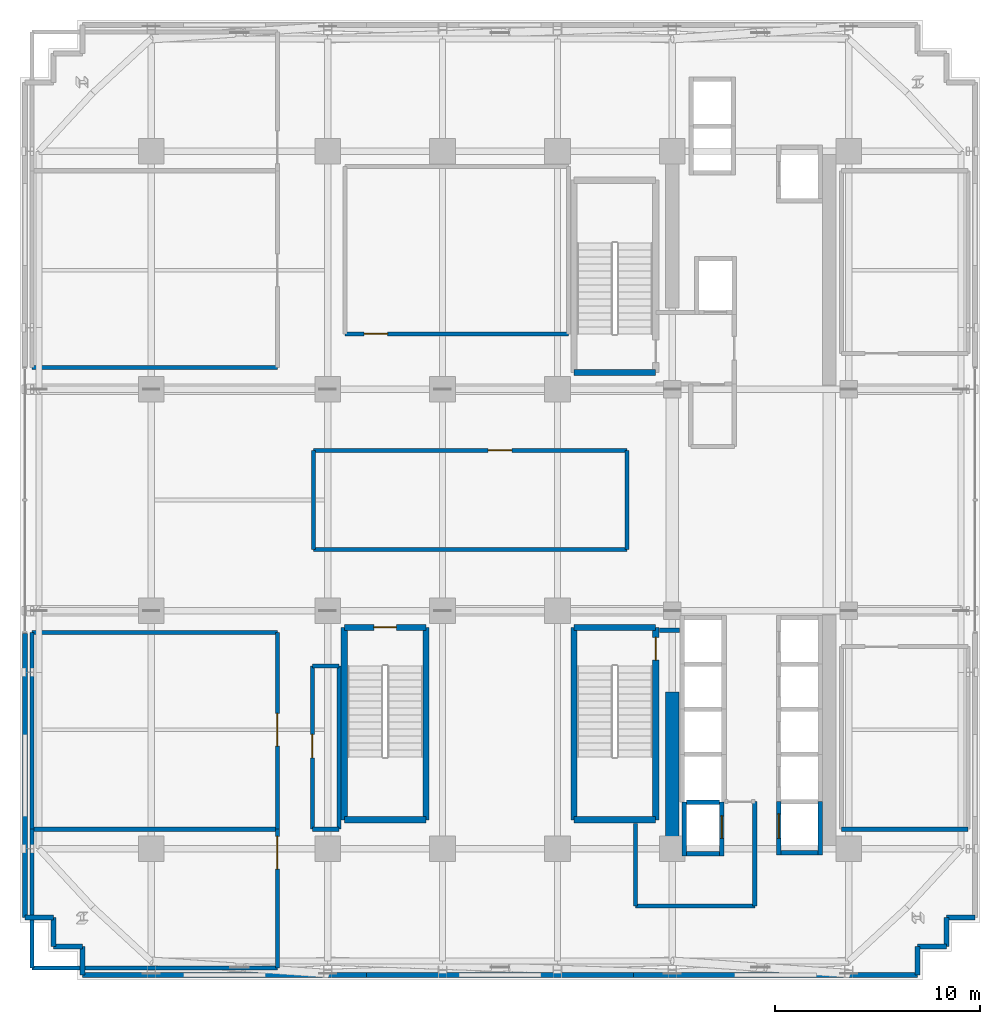
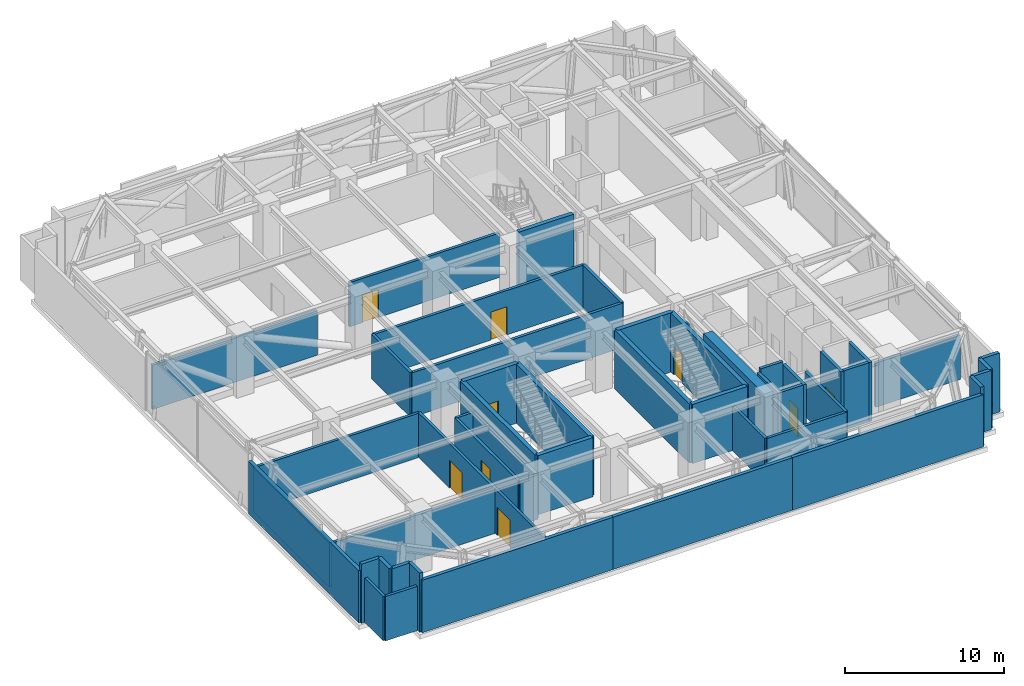
# One storey, part 9 of 15: 51 walls, 9 doors, 9 openings.
"""IFC4 building model written with IfcOpenShell, lengths in metres."""

from ifc_helpers import new_model, si_unit, direction, frame, frame_2d, origin, place, context, subcontext, project, spatial, rectangle, extrude, source, transform, mapped, material, layer, layer_set, type_object, element, fill, save


model = new_model("IFC4")

# Units and contexts
model_context = context("Model", 3, precision=1e-05, world=origin(), true_north=direction((0.0, 1.0)))
body_context = subcontext(model_context, "Body", "Model", "MODEL_VIEW")
ifc_project = project(units=[si_unit("LENGTHUNIT", "METRE"), si_unit("AREAUNIT", "SQUARE_METRE"), si_unit("VOLUMEUNIT", "CUBIC_METRE"), si_unit("PLANEANGLEUNIT", "RADIAN"), si_unit("MASSUNIT", "GRAM", prefix="KILO")], contexts=[model_context])

# Site, building, storey
site_placement = place(None, origin())
site = spatial("IfcSite", under=ifc_project, at=site_placement, CompositionType="ELEMENT")
building_placement = place(site_placement, origin())
building = spatial("IfcBuilding", under=site, at=building_placement, Name="Nahalor Promenade Grand Hotel", CompositionType="ELEMENT")
storey_placement = place(building_placement, frame((0.0, 0.0, 144.199951171875)))
storey = spatial("IfcBuildingStorey", under=building, at=storey_placement, Name="L36", CompositionType="ELEMENT", Elevation=144.199951171875)

# Walls
ifc_material_1 = material(Name="Concrete B-60 (C50/60)", Category="concrete")
ifc_layer_1 = layer(ifc_material_1, 0.64990234375)
ifc_layer_set_1 = layer_set([ifc_layer_1], Name="Concrete B-60 (C50/60)")
wall_type_1 = type_object("IfcWallType", Name="Wall-CoreShear-650", PredefinedType="SHEAR", material=ifc_layer_set_1)
shared_shape_1 = source(origin(), body_context, "Body", "SweptSolid", [
    extrude(rectangle(XDim=7.64990234375, YDim=0.64990234375, at=frame_2d((3.824951171875, 0.0))), origin(), (0.0, 0.0, 1.0), 4.5400390625),
])
wall_1_placement = place(storey_placement, frame((8.39990234375, -17.0, 0.0), z_axis=(0.0, 0.0, 1.0), x_axis=(0.0, 1.0, 0.0)))
element("IfcWall", 1, at=wall_1_placement, inside=storey, type_object=wall_type_1, Name="CWALL-L36-SW", PredefinedType="SHEAR", context=body_context, shape_type="MappedRepresentation", body=[
    mapped(shared_shape_1, transform((0.0, 0.0, 0.0), scale=1.0)),
])
ifc_material_2 = material(Name="Concrete B-50 (C40/50)", Category="concrete")
ifc_layer_2 = layer(ifc_material_2, 0.300048828125)
ifc_layer_set_2 = layer_set([ifc_layer_2], Name="Concrete B-50 (C40/50)")
wall_type_2 = type_object("IfcWallType", Name="Wall-ShaftShear-300", PredefinedType="SHEAR", material=ifc_layer_set_2)
shared_shape_2 = source(origin(), body_context, "Body", "SweptSolid", [
    extrude(rectangle(XDim=3.97998046875, YDim=0.300048828125, at=frame_2d((1.989990234375, 0.0))), origin(), (0.0, 0.0, 1.0), 4.5400390625),
])
for number, where, z_axis, x_axis, name in (
    (2, (3.610107421875, 6.2099609375, 0.0), (0.0, 0.0, 1.0), (1.0, 0.0, 0.0), "L36 Exit Stair ST1 Shaft Wall S"),
    (3, (3.610107421875, -15.590087890625, 0.0), (0.0, 0.0, 1.0), (1.0, 0.0, 0.0), "L36 Exit Stair ST2 Shaft Wall S"),
    (4, (3.610107421875, -6.2099609375, 0.0), (0.0, 0.0, 1.0), (1.0, 0.0, 0.0), "L36 Exit Stair ST2 Shaft Wall N"),
    (5, (-7.590087890625, -15.590087890625, 0.0), (0.0, 0.0, 1.0), (1.0, 0.0, 0.0), "L36 Exit Stair ST3 Shaft Wall S"),
):
    element("IfcWall", number, at=place(storey_placement, frame(where, z_axis=z_axis, x_axis=x_axis)), inside=storey, type_object=wall_type_2, Name=name, PredefinedType="SHEAR", context=body_context, shape_type="MappedRepresentation", body=[
        mapped(shared_shape_2, transform((0.0, 0.0, 0.0), scale=1.0)),
    ])

# Wall, opening, door
wall_2_placement = place(storey_placement, frame((-7.590087890625, -6.2099609375, 0.0), z_axis=(0.0, 0.0, 1.0), x_axis=(1.0, 0.0, 0.0)))
wall_2 = element("IfcWall", 6, at=wall_2_placement, inside=storey, type_object=wall_type_2, Name="L36 Exit Stair ST3 Shaft Wall N", PredefinedType="SHEAR", context=body_context, shape_type="MappedRepresentation", body=[
    mapped(shared_shape_2, transform((0.0, 0.0, 0.0), scale=1.0)),
])
opening_1_placement = place(wall_2_placement, frame((1.43994140625, 0.0, 0.0)))
opening_1 = element("IfcOpeningElement", 7, at=opening_1_placement, cuts=wall_2, Name="Opening D-ST1", PredefinedType="OPENING", context=body_context, shape_type="SweptSolid", body=[
    extrude(rectangle(XDim=1.10009765625, YDim=2.14990234375, at=frame_2d((0.550048828125, 1.074951171875))), frame((0.0, 0.159912109375, 0.0), z_axis=(0.0, -1.0, 0.0), x_axis=(1.0, 0.0, 0.0)), (0.0, 0.0, 1.0), 0.320068359375),
])
ifc_material_3 = material(Name="Steel S355JR", Category="steel")
door_type_1 = type_object("IfcDoorType", Name="Door-StairFire-1100", OperationType="NOTDEFINED", PredefinedType="DOOR", material=ifc_material_3)
shared_shape_3 = source(origin(), body_context, "Body", "SweptSolid", [
    extrude(rectangle(XDim=1.10009765625, YDim=2.14990234375, at=frame_2d((0.550048828125, 1.074951171875))), frame((0.0, 0.02490234375, 0.0), z_axis=(0.0, -1.0, 0.0), x_axis=(1.0, 0.0, 0.0)), (0.0, 0.0, 1.0), 0.050048828125),
])
door_1_placement = place(opening_1_placement, frame((1.10009765625, 0.0, 0.0), z_axis=(0.0, 0.0, 1.0), x_axis=(-1.0, 0.0, 0.0)))
door_1 = element("IfcDoor", 8, at=door_1_placement, inside=storey, type_object=door_type_1, Name="DR-STAIR-ST3-L36", OperationType="SINGLE_SWING_LEFT", OverallHeight=2.14990234375, OverallWidth=1.10009765625, PredefinedType="DOOR", context=body_context, shape_type="MappedRepresentation", body=[
    mapped(shared_shape_3, transform((0.0, 0.0, 0.0), scale=1.0)),
])
fill(opening_1, door_1)

# Wall
shared_shape_4 = source(origin(), body_context, "Body", "SweptSolid", [
    extrude(rectangle(XDim=9.380126953125, YDim=0.300048828125, at=frame_2d((4.68994140625, 0.0))), origin(), (0.0, 0.0, 1.0), 4.5400390625),
])
wall_3_placement = place(storey_placement, frame((3.610107421875, -15.590087890625, 0.0), z_axis=(0.0, 0.0, 1.0), x_axis=(0.0, 1.0, 0.0)))
element("IfcWall", 9, at=wall_3_placement, inside=storey, type_object=wall_type_2, Name="L36 Exit Stair ST2 Shaft Wall W", PredefinedType="SHEAR", context=body_context, shape_type="MappedRepresentation", body=[
    mapped(shared_shape_4, transform((0.0, 0.0, 0.0), scale=1.0)),
])

# Wall, opening, door
wall_4_placement = place(storey_placement, frame((7.590087890625, -15.590087890625, 0.0), z_axis=(0.0, 0.0, 1.0), x_axis=(0.0, 1.0, 0.0)))
wall_4 = element("IfcWall", 10, at=wall_4_placement, inside=storey, type_object=wall_type_2, Name="L36 Exit Stair ST2 Shaft Wall E", PredefinedType="SHEAR", context=body_context, shape_type="MappedRepresentation", body=[
    mapped(shared_shape_4, transform((0.0, 0.0, 0.0), scale=1.0)),
])
opening_2_placement = place(wall_4_placement, frame((7.7900390625, 0.0, 0.0)))
opening_2 = element("IfcOpeningElement", 11, at=opening_2_placement, cuts=wall_4, Name="Opening D-ST1", PredefinedType="OPENING", context=body_context, shape_type="SweptSolid", body=[
    extrude(rectangle(XDim=1.10009765625, YDim=2.14990234375, at=frame_2d((0.550048828125, 1.074951171875))), frame((0.0, 0.159912109375, 0.0), z_axis=(0.0, -1.0, 0.0), x_axis=(1.0, 0.0, 0.0)), (0.0, 0.0, 1.0), 0.320068359375),
])
door_2_placement = place(opening_2_placement, origin())
door_2 = element("IfcDoor", 12, at=door_2_placement, inside=storey, type_object=door_type_1, Name="DR-STAIR-ST2-L36", OperationType="SINGLE_SWING_LEFT", OverallHeight=2.14990234375, OverallWidth=1.10009765625, PredefinedType="DOOR", context=body_context, shape_type="MappedRepresentation", body=[
    mapped(shared_shape_3, transform((0.0, 0.0, 0.0), scale=1.0)),
])
fill(opening_2, door_2)

# Walls
for number, where, z_axis, x_axis, name in (
    (13, (-7.590087890625, -15.590087890625, 0.0), (0.0, 0.0, 1.0), (0.0, 1.0, 0.0), "L36 Exit Stair ST3 Shaft Wall W"),
    (14, (-3.610107421875, -15.590087890625, 0.0), (0.0, 0.0, 1.0), (0.0, 1.0, 0.0), "L36 Exit Stair ST3 Shaft Wall E"),
):
    element("IfcWall", number, at=place(storey_placement, frame(where, z_axis=z_axis, x_axis=x_axis)), inside=storey, type_object=wall_type_2, Name=name, PredefinedType="SHEAR", context=body_context, shape_type="MappedRepresentation", body=[
        mapped(shared_shape_4, transform((0.0, 0.0, 0.0), scale=1.0)),
    ])
ifc_layer_3 = layer(ifc_material_2, 0.219970703125)
ifc_layer_set_3 = layer_set([ifc_layer_3], Name="Concrete B-50 (C40/50)")
wall_type_3 = type_object("IfcWallType", Name="Wall-LiftShaft-220", PredefinedType="SHEAR", material=ifc_layer_set_3)
shared_shape_5 = source(origin(), body_context, "Body", "SweptSolid", [
    extrude(rectangle(XDim=1.820068359375, YDim=0.219970703125, at=frame_2d((0.91015625, 0.0))), origin(), (0.0, 0.0, 1.0), 4.5400390625),
])
wall_5_placement = place(storey_placement, frame((13.68994140625, -17.199951171875, 0.0), z_axis=(0.0, 0.0, 1.0), x_axis=(1.0, 0.0, 0.0)))
element("IfcWall", 15, at=wall_5_placement, inside=storey, type_object=wall_type_3, Name="L36 Lift SV2 Hoistway Wall S", PredefinedType="SHEAR", context=body_context, shape_type="MappedRepresentation", body=[
    mapped(shared_shape_5, transform((0.0, 0.0, 0.0), scale=1.0)),
])
shared_shape_6 = source(origin(), body_context, "Body", "SweptSolid", [
    extrude(rectangle(XDim=1.619873046875, YDim=0.219970703125, at=frame_2d((0.81005859375, 0.0))), origin(), (0.0, 0.0, 1.0), 4.800048828125),
])
wall_6_placement = place(storey_placement, frame((9.090087890625, -14.72509765625, 0.0), z_axis=(0.0, 0.0, 1.0), x_axis=(1.0, 0.0, 0.0)))
element("IfcWall", 16, at=wall_6_placement, inside=storey, type_object=wall_type_3, Name="L36 Lift FL2 Hoistway Wall N", PredefinedType="SHEAR", context=body_context, shape_type="MappedRepresentation", body=[
    mapped(shared_shape_6, transform((0.0, 0.0, 0.0), scale=1.0)),
])
shared_shape_7 = source(origin(), body_context, "Body", "SweptSolid", [
    extrude(rectangle(XDim=2.635009765625, YDim=0.219970703125, at=frame_2d((1.3173828125, 0.0))), origin(), (0.0, 0.0, 1.0), 4.5400390625),
])
wall_7_placement = place(storey_placement, frame((8.97998046875, -17.360107421875, 0.0), z_axis=(0.0, 0.0, 1.0), x_axis=(0.0, 1.0, 0.0)))
element("IfcWall", 17, at=wall_7_placement, inside=storey, type_object=wall_type_3, Name="L36 Lift FL2 Hoistway Wall W", PredefinedType="SHEAR", context=body_context, shape_type="MappedRepresentation", body=[
    mapped(shared_shape_7, transform((0.0, 0.0, 0.0), scale=1.0)),
])

# Wall, opening, door
wall_8_placement = place(storey_placement, frame((10.820068359375, -17.360107421875, 0.0), z_axis=(0.0, 0.0, 1.0), x_axis=(0.0, 1.0, 0.0)))
wall_8 = element("IfcWall", 18, at=wall_8_placement, inside=storey, type_object=wall_type_3, Name="L36 Lift FL2 Hoistway Wall E", PredefinedType="SHEAR", context=body_context, shape_type="MappedRepresentation", body=[
    mapped(shared_shape_7, transform((0.0, 0.0, 0.0), scale=1.0)),
])
opening_3_placement = place(wall_8_placement, frame((0.860107421875, 0.0, 0.0)))
opening_3 = element("IfcOpeningElement", 19, at=opening_3_placement, cuts=wall_8, Name="Opening LD-02", PredefinedType="OPENING", context=body_context, shape_type="SweptSolid", body=[
    extrude(rectangle(XDim=1.10009765625, YDim=2.199951171875, at=frame_2d((0.550048828125, 1.10009765625))), frame((0.0, 0.119873046875, 0.0), z_axis=(0.0, -1.0, 0.0), x_axis=(1.0, 0.0, 0.0)), (0.0, 0.0, 1.0), 0.239990234375),
])
door_type_2 = type_object("IfcDoorType", Name="Door-LiftFF-1100", OperationType="DOUBLE_DOOR_SLIDING", PredefinedType="DOOR", material=ifc_material_3)
shared_shape_8 = source(origin(), body_context, "Body", "SweptSolid", [
    extrude(rectangle(XDim=1.10009765625, YDim=2.199951171875, at=frame_2d((0.550048828125, 1.10009765625))), frame((0.0, 0.02490234375, 0.0), z_axis=(0.0, -1.0, 0.0), x_axis=(1.0, 0.0, 0.0)), (0.0, 0.0, 1.0), 0.050048828125),
])
door_3_placement = place(opening_3_placement, frame((1.10009765625, 0.0, 0.0), z_axis=(0.0, 0.0, 1.0), x_axis=(-1.0, 0.0, 0.0)))
door_3 = element("IfcDoor", 20, at=door_3_placement, inside=storey, type_object=door_type_2, Name="DR-LIFT-FL2-L36", OperationType="DOUBLE_DOOR_SLIDING", OverallHeight=2.199951171875, OverallWidth=1.10009765625, PredefinedType="DOOR", context=body_context, shape_type="MappedRepresentation", body=[
    mapped(shared_shape_8, transform((0.0, 0.0, 0.0), scale=1.0)),
])
fill(opening_3, door_3)

# Wall
shared_shape_9 = source(origin(), body_context, "Body", "SweptSolid", [
    extrude(rectangle(XDim=1.619873046875, YDim=0.219970703125, at=frame_2d((0.81005859375, 0.0))), origin(), (0.0, 0.0, 1.0), 4.5400390625),
])
wall_9_placement = place(storey_placement, frame((9.090087890625, -17.25, 0.0), z_axis=(0.0, 0.0, 1.0), x_axis=(1.0, 0.0, 0.0)))
element("IfcWall", 21, at=wall_9_placement, inside=storey, type_object=wall_type_3, Name="L36 Lift FL2 Hoistway Wall S", PredefinedType="SHEAR", context=body_context, shape_type="MappedRepresentation", body=[
    mapped(shared_shape_9, transform((0.0, 0.0, 0.0), scale=1.0)),
])

# Wall, opening, door
shared_shape_10 = source(origin(), body_context, "Body", "SweptSolid", [
    extrude(rectangle(XDim=2.610107421875, YDim=0.219970703125, at=frame_2d((1.30517578125, 0.0))), origin(), (0.0, 0.0, 1.0), 4.5400390625),
])
wall_10_placement = place(storey_placement, frame((13.580078125, -17.31005859375, 0.0), z_axis=(0.0, 0.0, 1.0), x_axis=(0.0, 1.0, 0.0)))
wall_10 = element("IfcWall", 22, at=wall_10_placement, inside=storey, type_object=wall_type_3, Name="L36 Lift SV2 Hoistway Wall W", PredefinedType="SHEAR", context=body_context, shape_type="MappedRepresentation", body=[
    mapped(shared_shape_10, transform((0.0, 0.0, 0.0), scale=1.0)),
])
opening_4_placement = place(wall_10_placement, frame((0.81005859375, 0.0, 0.0)))
opening_4 = element("IfcOpeningElement", 23, at=opening_4_placement, cuts=wall_10, Name="Opening LD-03", PredefinedType="OPENING", context=body_context, shape_type="SweptSolid", body=[
    extrude(rectangle(XDim=1.199951171875, YDim=2.199951171875, at=frame_2d((0.60009765625, 1.10009765625))), frame((0.0, 0.119873046875, 0.0), z_axis=(0.0, -1.0, 0.0), x_axis=(1.0, 0.0, 0.0)), (0.0, 0.0, 1.0), 0.239990234375),
])
door_type_3 = type_object("IfcDoorType", Name="Door-LiftService-1200", OperationType="DOUBLE_DOOR_SLIDING", PredefinedType="DOOR", material=ifc_material_3)
shared_shape_11 = source(origin(), body_context, "Body", "SweptSolid", [
    extrude(rectangle(XDim=1.199951171875, YDim=2.199951171875, at=frame_2d((0.60009765625, 1.10009765625))), frame((0.0, 0.02490234375, 0.0), z_axis=(0.0, -1.0, 0.0), x_axis=(1.0, 0.0, 0.0)), (0.0, 0.0, 1.0), 0.050048828125),
])
door_4_placement = place(opening_4_placement, origin())
door_4 = element("IfcDoor", 24, at=door_4_placement, inside=storey, type_object=door_type_3, Name="DR-LIFT-SV2-L36", OperationType="DOUBLE_DOOR_SLIDING", OverallHeight=2.199951171875, OverallWidth=1.199951171875, PredefinedType="DOOR", context=body_context, shape_type="MappedRepresentation", body=[
    mapped(shared_shape_11, transform((0.0, 0.0, 0.0), scale=1.0)),
])
fill(opening_4, door_4)

# Walls
wall_11_placement = place(storey_placement, frame((15.6201171875, -17.31005859375, 0.0), z_axis=(0.0, 0.0, 1.0), x_axis=(0.0, 1.0, 0.0)))
element("IfcWall", 25, at=wall_11_placement, inside=storey, type_object=wall_type_3, Name="L36 Lift SV2 Hoistway Wall E", PredefinedType="SHEAR", context=body_context, shape_type="MappedRepresentation", body=[
    mapped(shared_shape_10, transform((0.0, 0.0, 0.0), scale=1.0)),
])
ifc_material_4 = material(Name="Concrete B-40 (C32/40)", Category="concrete")
ifc_layer_4 = layer(ifc_material_4, 0.25)
ifc_layer_set_4 = layer_set([ifc_layer_4], Name="Concrete B-40 (C32/40)")
wall_type_4 = type_object("IfcWallType", Name="Wall-BronzePier-250", PredefinedType="STANDARD", material=ifc_layer_set_4)
shared_shape_12 = source(origin(), body_context, "Body", "SweptSolid", [
    extrude(rectangle(XDim=1.39990234375, YDim=0.25, at=frame_2d((0.699951171875, 0.0))), origin(), (0.0, 0.0, 1.0), 4.5400390625),
])
for number, where, z_axis, x_axis, name in (
    (26, (20.360107421875, -23.159912109375, 0.0), (0.0, 0.0, 1.0), (0.0, 1.0, 0.0), "W-L36-SR-01"),
    (27, (20.360107421875, -21.760009765625, 0.0), (0.0, 0.0, 1.0), (1.0, 0.0, 0.0), "W-L36-SR-02"),
    (28, (21.760009765625, -21.760009765625, 0.0), (0.0, 0.0, 1.0), (0.0, 1.0, 0.0), "W-L36-SR-03"),
    (29, (21.760009765625, -20.360107421875, 0.0), (0.0, 0.0, 1.0), (1.0, 0.0, 0.0), "W-L36-SR-04"),
    (30, (-23.159912109375, -20.360107421875, 0.0), (0.0, 0.0, 1.0), (1.0, 0.0, 0.0), "W-L36-SR-13"),
    (31, (-21.760009765625, -21.760009765625, 0.0), (0.0, 0.0, 1.0), (0.0, 1.0, 0.0), "W-L36-SR-14"),
    (32, (-21.760009765625, -21.760009765625, 0.0), (0.0, 0.0, 1.0), (1.0, 0.0, 0.0), "W-L36-SR-15"),
    (33, (-20.360107421875, -23.159912109375, 0.0), (0.0, 0.0, 1.0), (0.0, 1.0, 0.0), "W-L36-SR-16"),
):
    element("IfcWall", number, at=place(storey_placement, frame(where, z_axis=z_axis, x_axis=x_axis)), inside=storey, type_object=wall_type_4, Name=name, PredefinedType="STANDARD", context=body_context, shape_type="MappedRepresentation", body=[
        mapped(shared_shape_12, transform((0.0, 0.0, 0.0), scale=1.0)),
    ])
shared_shape_13 = source(origin(), body_context, "Body", "SweptSolid", [
    extrude(rectangle(XDim=13.860107421875, YDim=0.25, at=frame_2d((6.93017578125, 0.0))), origin(), (0.0, 0.0, 1.0), 4.02001953125),
])
for number, where, z_axis, x_axis, name in (
    (34, (-20.360107421875, -23.159912109375, 0.0), (0.0, 0.0, 1.0), (1.0, 0.0, 0.0), "W-L36-PL-SL"),
    (35, (6.5, -23.159912109375, 0.0), (0.0, 0.0, 1.0), (1.0, 0.0, 0.0), "W-L36-PL-SR"),
    (36, (-23.159912109375, -20.360107421875, 0.0), (0.0, 0.0, 1.0), (0.0, 1.0, 0.0), "W-L36-PL-WL"),
):
    element("IfcWall", number, at=place(storey_placement, frame(where, z_axis=z_axis, x_axis=x_axis)), inside=storey, type_object=wall_type_4, Name=name, PredefinedType="STANDARD", context=body_context, shape_type="MappedRepresentation", body=[
        mapped(shared_shape_13, transform((0.0, 0.0, 0.0), scale=1.0)),
    ])
shared_shape_14 = source(origin(), body_context, "Body", "SweptSolid", [
    extrude(rectangle(XDim=13.0, YDim=0.25, at=frame_2d((6.5, 0.0))), origin(), (0.0, 0.0, 1.0), 4.02001953125),
])
wall_12_placement = place(storey_placement, frame((-6.5, -23.159912109375, 0.0), z_axis=(0.0, 0.0, 1.0), x_axis=(1.0, 0.0, 0.0)))
element("IfcWall", 37, at=wall_12_placement, inside=storey, type_object=wall_type_4, Name="W-L36-PL-SM", PredefinedType="STANDARD", context=body_context, shape_type="MappedRepresentation", body=[
    mapped(shared_shape_14, transform((0.0, 0.0, 0.0), scale=1.0)),
])
ifc_layer_5 = layer(ifc_material_4, 0.199951171875)
ifc_layer_set_5 = layer_set([ifc_layer_5], Name="Concrete B-40 (C32/40)")
wall_type_5 = type_object("IfcWallType", Name="Wall-PartFire-200", PredefinedType="PARTITIONING", material=ifc_layer_set_5)
shared_shape_15 = source(origin(), body_context, "Body", "SweptSolid", [
    extrude(rectangle(XDim=5.81982421875, YDim=0.199951171875, at=frame_2d((2.909912109375, 0.0))), origin(), (0.0, 0.0, 1.0), 3.400146484375),
])
wall_13_placement = place(storey_placement, frame((6.60009765625, -19.800048828125, 0.0), z_axis=(0.0, 0.0, 1.0), x_axis=(1.0, 0.0, 0.0)))
element("IfcWall", 38, at=wall_13_placement, inside=storey, type_object=wall_type_5, Name="W-L36-FF2-S1", PredefinedType="PARTITIONING", context=body_context, shape_type="MappedRepresentation", body=[
    mapped(shared_shape_15, transform((0.0, 0.0, 0.0), scale=1.0)),
])
shared_shape_16 = source(origin(), body_context, "Body", "SweptSolid", [
    extrude(rectangle(XDim=4.030029296875, YDim=0.199951171875, at=frame_2d((2.01513671875, 0.0))), origin(), (0.0, 0.0, 1.0), 3.400146484375),
])
wall_14_placement = place(storey_placement, frame((6.60009765625, -19.800048828125, 0.0), z_axis=(0.0, 0.0, 1.0), x_axis=(0.0, 1.0, 0.0)))
element("IfcWall", 39, at=wall_14_placement, inside=storey, type_object=wall_type_5, Name="W-L36-FF2-W1", PredefinedType="PARTITIONING", context=body_context, shape_type="MappedRepresentation", body=[
    mapped(shared_shape_16, transform((0.0, 0.0, 0.0), scale=1.0)),
])
shared_shape_17 = source(origin(), body_context, "Body", "SweptSolid", [
    extrude(rectangle(XDim=5.10009765625, YDim=0.199951171875, at=frame_2d((2.550048828125, 0.0))), origin(), (0.0, 0.0, 1.0), 3.400146484375),
])
wall_15_placement = place(storey_placement, frame((12.419921875, -19.800048828125, 0.0), z_axis=(0.0, 0.0, 1.0), x_axis=(0.0, 1.0, 0.0)))
element("IfcWall", 40, at=wall_15_placement, inside=storey, type_object=wall_type_5, Name="W-L36-FF2-E", PredefinedType="PARTITIONING", context=body_context, shape_type="MappedRepresentation", body=[
    mapped(shared_shape_17, transform((0.0, 0.0, 0.0), scale=1.0)),
])
shared_shape_18 = source(origin(), body_context, "Body", "SweptSolid", [
    extrude(rectangle(XDim=0.969970703125, YDim=0.199951171875, at=frame_2d((0.48486328125, 0.0))), origin(), (0.0, 0.0, 1.0), 3.400146484375),
])
wall_16_placement = place(storey_placement, frame((7.77001953125, -6.35009765625, 0.0), z_axis=(0.0, 0.0, 1.0), x_axis=(1.0, 0.0, 0.0)))
element("IfcWall", 41, at=wall_16_placement, inside=storey, type_object=wall_type_5, Name="W-L36-FF2-N2", PredefinedType="PARTITIONING", context=body_context, shape_type="MappedRepresentation", body=[
    mapped(shared_shape_18, transform((0.0, 0.0, 0.0), scale=1.0)),
])

# Wall, opening, door
shared_shape_19 = source(origin(), body_context, "Body", "SweptSolid", [
    extrude(rectangle(XDim=10.89013671875, YDim=0.199951171875, at=frame_2d((5.445068359375, 0.0))), origin(), (0.0, 0.0, 1.0), 3.400146484375),
])
wall_17_placement = place(storey_placement, frame((-7.550048828125, 8.10009765625, 0.0), z_axis=(0.0, 0.0, 1.0), x_axis=(1.0, 0.0, 0.0)))
wall_17 = element("IfcWall", 42, at=wall_17_placement, inside=storey, type_object=wall_type_5, Name="W-L36-REF2-S", PredefinedType="PARTITIONING", context=body_context, shape_type="MappedRepresentation", body=[
    mapped(shared_shape_19, transform((0.0, 0.0, 0.0), scale=1.0)),
])
opening_5_placement = place(wall_17_placement, frame((0.925048828125, 0.0, 0.0)))
opening_5 = element("IfcOpeningElement", 43, at=opening_5_placement, cuts=wall_17, Name="Opening D-FF1", PredefinedType="OPENING", context=body_context, shape_type="SweptSolid", body=[
    extrude(rectangle(XDim=1.14990234375, YDim=2.14990234375, at=frame_2d((0.574951171875, 1.074951171875))), frame((0.0, 0.10986328125, 0.0), z_axis=(0.0, -1.0, 0.0), x_axis=(1.0, 0.0, 0.0)), (0.0, 0.0, 1.0), 0.219970703125),
])
door_type_4 = type_object("IfcDoorType", Name="Door-FFLobby-1150", OperationType="NOTDEFINED", PredefinedType="DOOR", material=ifc_material_3)
shared_shape_20 = source(origin(), body_context, "Body", "SweptSolid", [
    extrude(rectangle(XDim=1.14990234375, YDim=2.14990234375, at=frame_2d((0.574951171875, 1.074951171875))), frame((0.0, 0.02490234375, 0.0), z_axis=(0.0, -1.0, 0.0), x_axis=(1.0, 0.0, 0.0)), (0.0, 0.0, 1.0), 0.050048828125),
])
door_5_placement = place(opening_5_placement, origin())
door_5 = element("IfcDoor", 44, at=door_5_placement, inside=storey, type_object=door_type_4, Name="DR-L36-REF2", OperationType="SINGLE_SWING_RIGHT", OverallHeight=2.14990234375, OverallWidth=1.14990234375, PredefinedType="DOOR", context=body_context, shape_type="MappedRepresentation", body=[
    mapped(shared_shape_20, transform((0.0, 0.0, 0.0), scale=1.0)),
])
fill(opening_5, door_5)

# Wall
shared_shape_21 = source(origin(), body_context, "Body", "SweptSolid", [
    extrude(rectangle(XDim=15.300048828125, YDim=0.199951171875, at=frame_2d((7.64990234375, 0.0))), origin(), (0.0, 0.0, 1.0), 3.400146484375),
])
wall_18_placement = place(storey_placement, frame((-9.10009765625, -2.419921875, 0.0), z_axis=(0.0, 0.0, 1.0), x_axis=(1.0, 0.0, 0.0)))
element("IfcWall", 45, at=wall_18_placement, inside=storey, type_object=wall_type_5, Name="W-L36-REF3-S", PredefinedType="PARTITIONING", context=body_context, shape_type="MappedRepresentation", body=[
    mapped(shared_shape_21, transform((0.0, 0.0, 0.0), scale=1.0)),
])

# Wall, opening, door
wall_19_placement = place(storey_placement, frame((-9.10009765625, 2.419921875, 0.0), z_axis=(0.0, 0.0, 1.0), x_axis=(1.0, 0.0, 0.0)))
wall_19 = element("IfcWall", 46, at=wall_19_placement, inside=storey, type_object=wall_type_5, Name="W-L36-REF3-N", PredefinedType="PARTITIONING", context=body_context, shape_type="MappedRepresentation", body=[
    mapped(shared_shape_21, transform((0.0, 0.0, 0.0), scale=1.0)),
])
opening_6_placement = place(wall_19_placement, frame((8.52490234375, 0.0, 0.0)))
opening_6 = element("IfcOpeningElement", 47, at=opening_6_placement, cuts=wall_19, Name="Opening D-FF1", PredefinedType="OPENING", context=body_context, shape_type="SweptSolid", body=[
    extrude(rectangle(XDim=1.14990234375, YDim=2.14990234375, at=frame_2d((0.574951171875, 1.074951171875))), frame((0.0, 0.10986328125, 0.0), z_axis=(0.0, -1.0, 0.0), x_axis=(1.0, 0.0, 0.0)), (0.0, 0.0, 1.0), 0.219970703125),
])
door_6_placement = place(opening_6_placement, frame((1.14990234375, 0.0, 0.0), z_axis=(0.0, 0.0, 1.0), x_axis=(-1.0, 0.0, 0.0)))
door_6 = element("IfcDoor", 48, at=door_6_placement, inside=storey, type_object=door_type_4, Name="DR-L36-REF3", OperationType="SINGLE_SWING_LEFT", OverallHeight=2.14990234375, OverallWidth=1.14990234375, PredefinedType="DOOR", context=body_context, shape_type="MappedRepresentation", body=[
    mapped(shared_shape_20, transform((0.0, 0.0, 0.0), scale=1.0)),
])
fill(opening_6, door_6)

# Walls
shared_shape_22 = source(origin(), body_context, "Body", "SweptSolid", [
    extrude(rectangle(XDim=4.83984375, YDim=0.199951171875, at=frame_2d((2.419921875, 0.0))), origin(), (0.0, 0.0, 1.0), 3.400146484375),
])
for number, where, z_axis, x_axis, name in (
    (49, (-9.10009765625, -2.419921875, 0.0), (0.0, 0.0, 1.0), (0.0, 1.0, 0.0), "W-L36-REF3-W"),
    (50, (6.199951171875, -2.419921875, 0.0), (0.0, 0.0, 1.0), (0.0, 1.0, 0.0), "W-L36-REF3-E"),
):
    element("IfcWall", number, at=place(storey_placement, frame(where, z_axis=z_axis, x_axis=x_axis)), inside=storey, type_object=wall_type_5, Name=name, PredefinedType="PARTITIONING", context=body_context, shape_type="MappedRepresentation", body=[
        mapped(shared_shape_22, transform((0.0, 0.0, 0.0), scale=1.0)),
    ])
shared_shape_23 = source(origin(), body_context, "Body", "SweptSolid", [
    extrude(rectangle(XDim=1.2998046875, YDim=0.199951171875, at=frame_2d((0.64990234375, 0.0))), origin(), (0.0, 0.0, 1.0), 3.400146484375),
])
for number, where, z_axis, x_axis, name in (
    (51, (-9.14990234375, -16.050048828125, 0.0), (0.0, 0.0, 1.0), (1.0, 0.0, 0.0), "W-L36-REF4-S"),
    (52, (-9.14990234375, -8.10009765625, 0.0), (0.0, 0.0, 1.0), (1.0, 0.0, 0.0), "W-L36-REF4-N"),
):
    element("IfcWall", number, at=place(storey_placement, frame(where, z_axis=z_axis, x_axis=x_axis)), inside=storey, type_object=wall_type_5, Name=name, PredefinedType="PARTITIONING", context=body_context, shape_type="MappedRepresentation", body=[
        mapped(shared_shape_23, transform((0.0, 0.0, 0.0), scale=1.0)),
    ])

# Wall, opening, door
shared_shape_24 = source(origin(), body_context, "Body", "SweptSolid", [
    extrude(rectangle(XDim=7.949951171875, YDim=0.199951171875, at=frame_2d((3.97509765625, 0.0))), origin(), (0.0, 0.0, 1.0), 3.400146484375),
])
wall_20_placement = place(storey_placement, frame((-9.14990234375, -16.050048828125, 0.0), z_axis=(0.0, 0.0, 1.0), x_axis=(0.0, 1.0, 0.0)))
wall_20 = element("IfcWall", 53, at=wall_20_placement, inside=storey, type_object=wall_type_5, Name="W-L36-REF4-W", PredefinedType="PARTITIONING", context=body_context, shape_type="MappedRepresentation", body=[
    mapped(shared_shape_24, transform((0.0, 0.0, 0.0), scale=1.0)),
])
opening_7_placement = place(wall_20_placement, frame((3.47509765625, 0.0, 0.0)))
opening_7 = element("IfcOpeningElement", 54, at=opening_7_placement, cuts=wall_20, Name="Opening D-FF1", PredefinedType="OPENING", context=body_context, shape_type="SweptSolid", body=[
    extrude(rectangle(XDim=1.14990234375, YDim=2.14990234375, at=frame_2d((0.574951171875, 1.074951171875))), frame((0.0, 0.10986328125, 0.0), z_axis=(0.0, -1.0, 0.0), x_axis=(1.0, 0.0, 0.0)), (0.0, 0.0, 1.0), 0.219970703125),
])
door_7_placement = place(opening_7_placement, frame((1.14990234375, 0.0, 0.0), z_axis=(0.0, 0.0, 1.0), x_axis=(-1.0, 0.0, 0.0)))
door_7 = element("IfcDoor", 55, at=door_7_placement, inside=storey, type_object=door_type_4, Name="DR-L36-REF4", OperationType="SINGLE_SWING_RIGHT", OverallHeight=2.14990234375, OverallWidth=1.14990234375, PredefinedType="DOOR", context=body_context, shape_type="MappedRepresentation", body=[
    mapped(shared_shape_20, transform((0.0, 0.0, 0.0), scale=1.0)),
])
fill(opening_7, door_7)

# Walls
wall_21_placement = place(storey_placement, frame((-7.85009765625, -16.050048828125, 0.0), z_axis=(0.0, 0.0, 1.0), x_axis=(0.0, 1.0, 0.0)))
element("IfcWall", 56, at=wall_21_placement, inside=storey, type_object=wall_type_5, Name="W-L36-REF4-E", PredefinedType="PARTITIONING", context=body_context, shape_type="MappedRepresentation", body=[
    mapped(shared_shape_24, transform((0.0, 0.0, 0.0), scale=1.0)),
])
shared_shape_25 = source(origin(), body_context, "Body", "SweptSolid", [
    extrude(rectangle(XDim=11.969970703125, YDim=0.199951171875, at=frame_2d((5.98486328125, 0.0))), origin(), (0.0, 0.0, 1.0), 3.400146484375),
])
for number, where, z_axis, x_axis, name in (
    (57, (-22.820068359375, 6.449951171875, 0.0), (0.0, 0.0, 1.0), (1.0, 0.0, 0.0), "W-L36-MP1-S"),
    (58, (-22.820068359375, -16.050048828125, 0.0), (0.0, 0.0, 1.0), (1.0, 0.0, 0.0), "W-L36-MP3-S"),
    (59, (-22.820068359375, -6.449951171875, 0.0), (0.0, 0.0, 1.0), (1.0, 0.0, 0.0), "W-L36-MP3-N"),
    (60, (-22.820068359375, -22.820068359375, 0.0), (0.0, 0.0, 1.0), (1.0, 0.0, 0.0), "W-L36-MP4-S"),
):
    element("IfcWall", number, at=place(storey_placement, frame(where, z_axis=z_axis, x_axis=x_axis)), inside=storey, type_object=wall_type_5, Name=name, PredefinedType="PARTITIONING", context=body_context, shape_type="MappedRepresentation", body=[
        mapped(shared_shape_25, transform((0.0, 0.0, 0.0), scale=1.0)),
    ])
shared_shape_26 = source(origin(), body_context, "Body", "SweptSolid", [
    extrude(rectangle(XDim=9.60009765625, YDim=0.199951171875, at=frame_2d((4.800048828125, 0.0))), origin(), (0.0, 0.0, 1.0), 3.400146484375),
])
wall_22_placement = place(storey_placement, frame((-22.820068359375, -16.050048828125, 0.0), z_axis=(0.0, 0.0, 1.0), x_axis=(0.0, 1.0, 0.0)))
element("IfcWall", 61, at=wall_22_placement, inside=storey, type_object=wall_type_5, Name="W-L36-MP3-W", PredefinedType="PARTITIONING", context=body_context, shape_type="MappedRepresentation", body=[
    mapped(shared_shape_26, transform((0.0, 0.0, 0.0), scale=1.0)),
])

# Wall, opening, door
wall_23_placement = place(storey_placement, frame((-10.85009765625, -16.050048828125, 0.0), z_axis=(0.0, 0.0, 1.0), x_axis=(0.0, 1.0, 0.0)))
wall_23 = element("IfcWall", 62, at=wall_23_placement, inside=storey, type_object=wall_type_5, Name="W-L36-MP3-E", PredefinedType="PARTITIONING", context=body_context, shape_type="MappedRepresentation", body=[
    mapped(shared_shape_26, transform((0.0, 0.0, 0.0), scale=1.0)),
])
opening_8_placement = place(wall_23_placement, frame((4.050048828125, 0.0, 0.0)))
opening_8 = element("IfcOpeningElement", 63, at=opening_8_placement, cuts=wall_23, Name="Opening D-06", PredefinedType="OPENING", context=body_context, shape_type="SweptSolid", body=[
    extrude(rectangle(XDim=1.60009765625, YDim=2.14990234375, at=frame_2d((0.800048828125, 1.074951171875))), frame((0.0, 0.10986328125, 0.0), z_axis=(0.0, -1.0, 0.0), x_axis=(1.0, 0.0, 0.0)), (0.0, 0.0, 1.0), 0.219970703125),
])
door_type_5 = type_object("IfcDoorType", Name="Door-PlantDouble-1600", OperationType="DOUBLE_DOOR_SINGLE_SWING", PredefinedType="DOOR", material=ifc_material_3)
shared_shape_27 = source(origin(), body_context, "Body", "SweptSolid", [
    extrude(rectangle(XDim=1.60009765625, YDim=2.14990234375, at=frame_2d((0.800048828125, 1.074951171875))), frame((0.0, 0.02490234375, 0.0), z_axis=(0.0, -1.0, 0.0), x_axis=(1.0, 0.0, 0.0)), (0.0, 0.0, 1.0), 0.050048828125),
])
door_8_placement = place(opening_8_placement, origin())
door_8 = element("IfcDoor", 64, at=door_8_placement, inside=storey, type_object=door_type_5, Name="DR-L36-MP3", OperationType="DOUBLE_DOOR_SINGLE_SWING", OverallHeight=2.14990234375, OverallWidth=1.60009765625, PredefinedType="DOOR", context=body_context, shape_type="MappedRepresentation", body=[
    mapped(shared_shape_27, transform((0.0, 0.0, 0.0), scale=1.0)),
])
fill(opening_8, door_8)

# Wall
shared_shape_28 = source(origin(), body_context, "Body", "SweptSolid", [
    extrude(rectangle(XDim=6.77001953125, YDim=0.199951171875, at=frame_2d((3.385009765625, 0.0))), origin(), (0.0, 0.0, 1.0), 3.400146484375),
])
wall_24_placement = place(storey_placement, frame((-22.820068359375, -22.820068359375, 0.0), z_axis=(0.0, 0.0, 1.0), x_axis=(0.0, 1.0, 0.0)))
element("IfcWall", 65, at=wall_24_placement, inside=storey, type_object=wall_type_5, Name="W-L36-MP4-W", PredefinedType="PARTITIONING", context=body_context, shape_type="MappedRepresentation", body=[
    mapped(shared_shape_28, transform((0.0, 0.0, 0.0), scale=1.0)),
])

# Wall, opening, door
wall_25_placement = place(storey_placement, frame((-10.85009765625, -22.820068359375, 0.0), z_axis=(0.0, 0.0, 1.0), x_axis=(0.0, 1.0, 0.0)))
wall_25 = element("IfcWall", 66, at=wall_25_placement, inside=storey, type_object=wall_type_5, Name="W-L36-MP4-E", PredefinedType="PARTITIONING", context=body_context, shape_type="MappedRepresentation", body=[
    mapped(shared_shape_28, transform((0.0, 0.0, 0.0), scale=1.0)),
])
opening_9_placement = place(wall_25_placement, frame((4.820068359375, 0.0, 0.0)))
opening_9 = element("IfcOpeningElement", 67, at=opening_9_placement, cuts=wall_25, Name="Opening D-06", PredefinedType="OPENING", context=body_context, shape_type="SweptSolid", body=[
    extrude(rectangle(XDim=1.60009765625, YDim=2.14990234375, at=frame_2d((0.800048828125, 1.074951171875))), frame((0.0, 0.10986328125, 0.0), z_axis=(0.0, -1.0, 0.0), x_axis=(1.0, 0.0, 0.0)), (0.0, 0.0, 1.0), 0.219970703125),
])
door_9_placement = place(opening_9_placement, origin())
door_9 = element("IfcDoor", 68, at=door_9_placement, inside=storey, type_object=door_type_5, Name="DR-L36-MP4", OperationType="DOUBLE_DOOR_SINGLE_SWING", OverallHeight=2.14990234375, OverallWidth=1.60009765625, PredefinedType="DOOR", context=body_context, shape_type="MappedRepresentation", body=[
    mapped(shared_shape_27, transform((0.0, 0.0, 0.0), scale=1.0)),
])
fill(opening_9, door_9)

# Wall
shared_shape_29 = source(origin(), body_context, "Body", "SweptSolid", [
    extrude(rectangle(XDim=6.170166015625, YDim=0.199951171875, at=frame_2d((3.0849609375, 0.0))), origin(), (0.0, 0.0, 1.0), 3.400146484375),
])
wall_26_placement = place(storey_placement, frame((16.64990234375, -16.050048828125, 0.0), z_axis=(0.0, 0.0, 1.0), x_axis=(1.0, 0.0, 0.0)))
element("IfcWall", 69, at=wall_26_placement, inside=storey, type_object=wall_type_5, Name="W-L36-MP6-S", PredefinedType="PARTITIONING", context=body_context, shape_type="MappedRepresentation", body=[
    mapped(shared_shape_29, transform((0.0, 0.0, 0.0), scale=1.0)),
])

save(model, "model.ifc")
